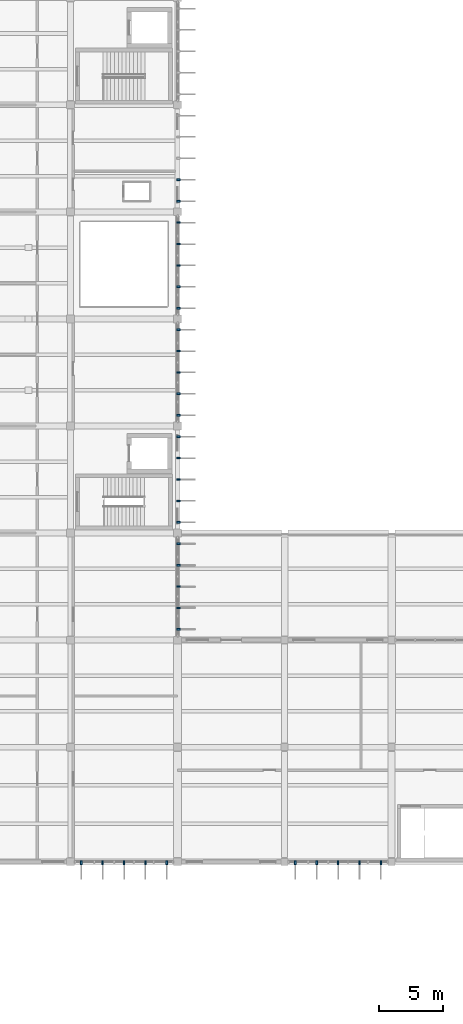
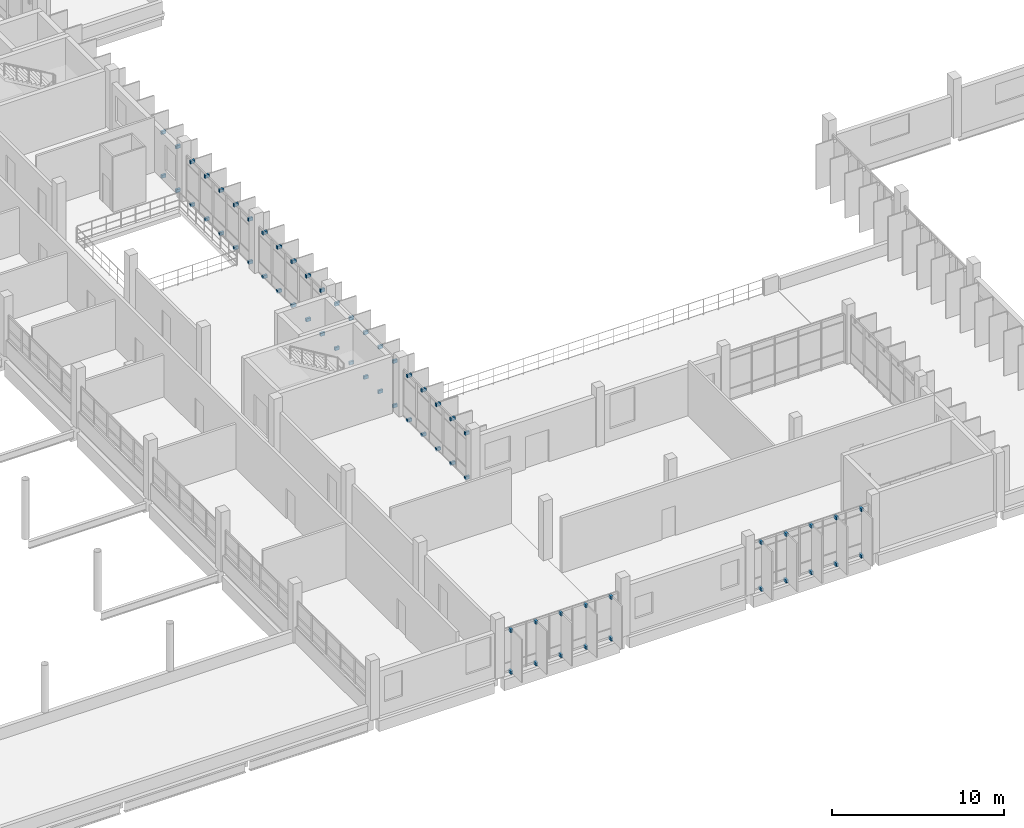
# One storey, part 121 of 130: 64 discrete accessories.
"""IFC4 building model written with IfcOpenShell, lengths in metres."""

import ifcopenshell
import ifcopenshell.guid

model = None  # the IFC model being written
_history = None  # IfcOwnerHistory: only IFC2X3 demands one
_inside = {}  # id of a spatial element -> (the spatial element, [elements in it])
_under = {}  # id of a project, library or spatial element -> (it, [spatial elements below it])
_declared = {}  # id of a project -> (the project, [libraries it declares])
_typed = {}  # id of a type object -> (the type object, [elements of that type])
_made_of = {}  # id of a material, layer set ... -> (it, [elements and type objects made of it])


def new_model(schema):
    """Start an empty IFC model of exactly this schema.

    Asked for "IFC4X3", IfcOpenShell would pick the latest addendum, in which some entities
    have other attributes; the version numbers below select the first issue.
    IFC2X3 requires an IfcOwnerHistory on every rooted entity: one is made here for all.
    """
    global model, _history
    if schema == "IFC4X3":
        model = ifcopenshell.file(schema_version=(4, 3, 0, 0))
    else:
        model = ifcopenshell.file(schema=schema)
    _inside.clear()
    _under.clear()
    _declared.clear()
    _typed.clear()
    _made_of.clear()
    _history = None
    if model.schema == "IFC2X3":
        org = make("IfcOrganization", Name="unknown")
        user = make(
            "IfcPersonAndOrganization",
            ThePerson=make("IfcPerson", FamilyName="unknown"),
            TheOrganization=org,
        )
        app = make(
            "IfcApplication",
            ApplicationDeveloper=org,
            Version="unknown",
            ApplicationFullName="unknown",
            ApplicationIdentifier="unknown",
        )
        _history = make(
            "IfcOwnerHistory",
            OwningUser=user,
            OwningApplication=app,
            ChangeAction="ADDED",
            CreationDate=0,
        )
    return model


def make(cls, **values):
    """One entity of the class cls with the attributes given. An attribute that is None is left unset."""
    return model.create_entity(
        cls, **{name: value for name, value in values.items() if value is not None}
    )


def rooted(cls, **values):
    """An entity with a GlobalId (a new one), such as an element, a storey or a relation."""
    return make(cls, GlobalId=ifcopenshell.guid.new(), OwnerHistory=_history, **values)


def si_unit(unit_type, name, prefix=None):
    """IfcSIUnit, for example si_unit("LENGTHUNIT", "METRE", prefix="MILLI")."""
    return make("IfcSIUnit", UnitType=unit_type, Prefix=prefix, Name=name)


def assignment(units):
    """IfcUnitAssignment: the units of a project."""
    return None if units is None else make("IfcUnitAssignment", Units=units)


def point(xyz):
    """IfcCartesianPoint."""
    return None if xyz is None else make("IfcCartesianPoint", Coordinates=xyz)


def direction(xyz):
    """IfcDirection."""
    return None if xyz is None else make("IfcDirection", DirectionRatios=xyz)


def frame(location, z_axis=None, x_axis=None):
    """IfcAxis2Placement3D, a coordinate frame: its origin and axes. An axis left out is left unset."""
    return make(
        "IfcAxis2Placement3D",
        Location=point(location),
        Axis=direction(z_axis),
        RefDirection=direction(x_axis),
    )


def frame_2d(location, x_axis=None):
    """IfcAxis2Placement2D, a coordinate frame in the plane: its origin and x axis."""
    return make(
        "IfcAxis2Placement2D", Location=point(location), RefDirection=direction(x_axis)
    )


def origin():
    """The frame at (0, 0, 0) with its axes left unset."""
    return frame((0.0, 0.0, 0.0))


def origin_2d():
    """The frame at (0, 0) in the plane with its x axis left unset."""
    return frame_2d((0.0, 0.0))


def place(relative_to, where):
    """IfcLocalPlacement: puts the frame where relative to a parent placement (None: the world)."""
    return make(
        "IfcLocalPlacement", PlacementRelTo=relative_to, RelativePlacement=where
    )


def context(
    kind, dimensions, precision=None, world=None, true_north=None, identifier=None
):
    """IfcGeometricRepresentationContext, for example the 3D "Model" context."""
    return make(
        "IfcGeometricRepresentationContext",
        ContextIdentifier=identifier,
        ContextType=kind,
        CoordinateSpaceDimension=dimensions,
        Precision=precision,
        WorldCoordinateSystem=world,
        TrueNorth=true_north,
    )


def subcontext(parent, identifier, kind, view, scale=None):
    """IfcGeometricRepresentationSubContext, for example "Body" below "Model"."""
    return make(
        "IfcGeometricRepresentationSubContext",
        ContextIdentifier=identifier,
        ContextType=kind,
        ParentContext=parent,
        TargetScale=scale,
        TargetView=view,
    )


def project(units=None, contexts=None):
    """IfcProject with its units and contexts."""
    return rooted(
        "IfcProject",
        Name="project",
        RepresentationContexts=contexts,
        UnitsInContext=assignment(units),
    )


def spatial(cls, under=None, at=None, **own):
    """A site, building, storey or space (cls), placed at a placement, below another one or the project."""
    s = rooted(cls, ObjectPlacement=at, **own)
    if under is not None:
        _under.setdefault(under.id(), (under, []))[1].append(s)
    return s


def profile(cls, at=None, kind="AREA", **sizes):
    """A parametric profile (cls). Its sizes go by their IFC names, for example OverallWidth=200.0."""
    return make(cls, ProfileType=kind, Position=at, **sizes)


def rectangle(**sizes):
    """IfcRectangleProfileDef."""
    return profile("IfcRectangleProfileDef", **sizes)


def extrude(swept, where, along, depth):
    """IfcExtrudedAreaSolid: the profile swept, set in the frame where, extruded along a direction by depth."""
    return make(
        "IfcExtrudedAreaSolid",
        SweptArea=swept,
        Position=where,
        ExtrudedDirection=direction(along),
        Depth=depth,
    )


def shape(context_of_items, identifier, shape_type, items):
    """IfcShapeRepresentation: the items that make up one representation, for example the "Body"."""
    return make(
        "IfcShapeRepresentation",
        ContextOfItems=context_of_items,
        RepresentationIdentifier=identifier,
        RepresentationType=shape_type,
        Items=items,
    )


def material(Name=None, Category=None):
    """IfcMaterial."""
    return make("IfcMaterial", Name=Name, Category=Category)


def made_of(thing, what):
    """Note that an element or type object is made of a material, layer set ...; save() writes the relation."""
    if what is not None:
        _made_of.setdefault(what.id(), (what, []))[1].append(thing)
    return thing


def type_object(cls, material=None, **own):
    """A type object (cls), such as IfcWallType, which elements share."""
    return made_of(rooted(cls, **own), material)


def element(
    cls,
    number,
    at=None,
    inside=None,
    cuts=None,
    type_object=None,
    material=None,
    context=None,
    identifier="Body",
    shape_type=None,
    held_by="IfcProductDefinitionShape",
    body=None,
    shapes=None,
    **own,
):
    """One element of the class cls, such as IfcWall. Its Tag is "e" and its number.

    at: its placement. inside: the storey or other place that contains it. cuts: it is an
    opening in that element (IfcRelVoidsElement). A single representation is given by context,
    identifier, shape_type and body (its items); several are given by shapes. held_by: the class
    of the entity that holds the representations. save() writes the other relations.
    """
    e = rooted(cls, Tag="e%d" % number, ObjectPlacement=at, **own)
    if body is not None:
        shapes = [shape(context, identifier, shape_type, body)]
    if shapes is not None:
        e.Representation = make(held_by, Representations=shapes)
    if inside is not None:
        _inside.setdefault(inside.id(), (inside, []))[1].append(e)
    if cuts is not None:
        rooted(
            "IfcRelVoidsElement", RelatingBuildingElement=cuts, RelatedOpeningElement=e
        )
    if type_object is not None:
        _typed.setdefault(type_object.id(), (type_object, []))[1].append(e)
    return made_of(e, material)


def aggregate(whole, parts):
    """IfcRelAggregates: a whole, such as a stair, and the parts it consists of."""
    return rooted("IfcRelAggregates", RelatingObject=whole, RelatedObjects=parts)


def save(model, path):
    """Write the relations noted so far, then the file.

    IfcRelAggregates (storeys below a building ...), IfcRelContainedInSpatialStructure (elements
    in a storey), IfcRelDefinesByType, IfcRelAssociatesMaterial and IfcRelDeclares: one each for
    every whole, place, type object, material and project.
    """
    for whole, parts in _under.values():
        aggregate(whole, parts)
    for where, things in _inside.values():
        rooted(
            "IfcRelContainedInSpatialStructure",
            RelatedElements=things,
            RelatingStructure=where,
        )
    for kind, things in _typed.values():
        rooted("IfcRelDefinesByType", RelatedObjects=things, RelatingType=kind)
    for what, things in _made_of.values():
        rooted("IfcRelAssociatesMaterial", RelatedObjects=things, RelatingMaterial=what)
    for by, libraries in _declared.values():
        rooted("IfcRelDeclares", RelatingContext=by, RelatedDefinitions=libraries)
    model.write(path)


model = new_model("IFC4")

# Units and contexts
model_context = context("Model", 3, precision=1e-05, world=origin(), true_north=direction((0.0, 1.0)))
body_context = subcontext(model_context, "Body", "Model", "MODEL_VIEW")
ifc_project = project(units=[si_unit("LENGTHUNIT", "METRE"), si_unit("AREAUNIT", "SQUARE_METRE"), si_unit("VOLUMEUNIT", "CUBIC_METRE"), si_unit("PLANEANGLEUNIT", "RADIAN"), si_unit("MASSUNIT", "GRAM", prefix="KILO")], contexts=[model_context])

# Site, building, storey
site_placement = place(None, origin())
site = spatial("IfcSite", under=ifc_project, at=site_placement, CompositionType="ELEMENT")
building_placement = place(site_placement, origin())
building = spatial("IfcBuilding", under=site, at=building_placement, Name="Vireocrest Preparatory School", CompositionType="ELEMENT")
storey_placement = place(building_placement, frame((0.0, 0.0, 9.0)))
storey = spatial("IfcBuildingStorey", under=building, at=storey_placement, Name="L02", CompositionType="ELEMENT", Elevation=9.0)

# Discrete accessories
ifc_material = material(Name="Structural steel ASTM A572 Grade 50", Category="steel")
discrete_accessory_type = type_object("IfcDiscreteAccessoryType", Name="Slab-Edge Steel Outrigger Fin Bracket", PredefinedType="BRACKET", material=ifc_material)
for number, where, z_axis, x_axis, name in (
    (1, (109.27001953125, 36.239990234375, -0.08984375), (0.0, 0.0, 1.0), (0.0, -1.0, 0.0), "Solar Fin Outrigger Bracket BK1 L02-14-1-BOT"),
    (2, (109.27001953125, 36.239990234375, 3.06982421875), (0.0, 0.0, 1.0), (0.0, -1.0, 0.0), "Solar Fin Outrigger Bracket BK1 L02-14-1-TOP"),
    (3, (109.27001953125, 37.919921875, -0.08984375), (0.0, 0.0, 1.0), (0.0, -1.0, 0.0), "Solar Fin Outrigger Bracket BK1 L02-14-2-BOT"),
    (4, (109.27001953125, 37.919921875, 3.06982421875), (0.0, 0.0, 1.0), (0.0, -1.0, 0.0), "Solar Fin Outrigger Bracket BK1 L02-14-2-TOP"),
    (5, (109.27001953125, 39.60009765625, -0.08984375), (0.0, 0.0, 1.0), (0.0, -1.0, 0.0), "Solar Fin Outrigger Bracket BK1 L02-14-3-BOT"),
    (6, (109.27001953125, 39.60009765625, 3.06982421875), (0.0, 0.0, 1.0), (0.0, -1.0, 0.0), "Solar Fin Outrigger Bracket BK1 L02-14-3-TOP"),
    (7, (109.27001953125, 41.280029296875, -0.08984375), (0.0, 0.0, 1.0), (0.0, -1.0, 0.0), "Solar Fin Outrigger Bracket BK1 L02-14-4-BOT"),
    (8, (109.27001953125, 41.280029296875, 3.06982421875), (0.0, 0.0, 1.0), (0.0, -1.0, 0.0), "Solar Fin Outrigger Bracket BK1 L02-14-4-TOP"),
    (9, (109.27001953125, 42.9599609375, -0.08984375), (0.0, 0.0, 1.0), (0.0, -1.0, 0.0), "Solar Fin Outrigger Bracket BK1 L02-14-5-BOT"),
    (10, (109.27001953125, 42.9599609375, 3.06982421875), (0.0, 0.0, 1.0), (0.0, -1.0, 0.0), "Solar Fin Outrigger Bracket BK1 L02-14-5-TOP"),
    (11, (109.27001953125, 44.639892578125, -0.08984375), (0.0, 0.0, 1.0), (0.0, -1.0, 0.0), "Solar Fin Outrigger Bracket BK1 L02-15-1-BOT"),
    (12, (109.27001953125, 44.639892578125, 3.06982421875), (0.0, 0.0, 1.0), (0.0, -1.0, 0.0), "Solar Fin Outrigger Bracket BK1 L02-15-1-TOP"),
    (13, (109.27001953125, 46.320068359375, -0.08984375), (0.0, 0.0, 1.0), (0.0, -1.0, 0.0), "Solar Fin Outrigger Bracket BK1 L02-15-2-BOT"),
    (14, (109.27001953125, 46.320068359375, 3.06982421875), (0.0, 0.0, 1.0), (0.0, -1.0, 0.0), "Solar Fin Outrigger Bracket BK1 L02-15-2-TOP"),
    (15, (109.27001953125, 48.0, -0.08984375), (0.0, 0.0, 1.0), (0.0, -1.0, 0.0), "Solar Fin Outrigger Bracket BK1 L02-15-3-BOT"),
    (16, (109.27001953125, 48.0, 3.06982421875), (0.0, 0.0, 1.0), (0.0, -1.0, 0.0), "Solar Fin Outrigger Bracket BK1 L02-15-3-TOP"),
    (17, (109.27001953125, 49.679931640625, -0.08984375), (0.0, 0.0, 1.0), (0.0, -1.0, 0.0), "Solar Fin Outrigger Bracket BK1 L02-15-4-BOT"),
    (18, (109.27001953125, 49.679931640625, 3.06982421875), (0.0, 0.0, 1.0), (0.0, -1.0, 0.0), "Solar Fin Outrigger Bracket BK1 L02-15-4-TOP"),
    (19, (109.27001953125, 51.360107421875, -0.08984375), (0.0, 0.0, 1.0), (0.0, -1.0, 0.0), "Solar Fin Outrigger Bracket BK1 L02-15-5-BOT"),
    (20, (109.27001953125, 51.360107421875, 3.06982421875), (0.0, 0.0, 1.0), (0.0, -1.0, 0.0), "Solar Fin Outrigger Bracket BK1 L02-15-5-TOP"),
    (21, (109.27001953125, 53.0400390625, -0.08984375), (0.0, 0.0, 1.0), (0.0, -1.0, 0.0), "Solar Fin Outrigger Bracket BK1 L02-16-1-BOT"),
    (22, (109.27001953125, 53.0400390625, 3.02001953125), (0.0, 0.0, 1.0), (0.0, -1.0, 0.0), "Solar Fin Outrigger Bracket BK1 L02-16-1-TOP"),
    (23, (109.27001953125, 54.719970703125, -0.08984375), (0.0, 0.0, 1.0), (0.0, -1.0, 0.0), "Solar Fin Outrigger Bracket BK1 L02-16-2-BOT"),
    (24, (109.27001953125, 54.719970703125, 3.02001953125), (0.0, 0.0, 1.0), (0.0, -1.0, 0.0), "Solar Fin Outrigger Bracket BK1 L02-16-2-TOP"),
    (25, (109.27001953125, 56.39990234375, -0.08984375), (0.0, 0.0, 1.0), (0.0, -1.0, 0.0), "Solar Fin Outrigger Bracket BK1 L02-16-3-BOT"),
    (26, (109.27001953125, 56.39990234375, 3.02001953125), (0.0, 0.0, 1.0), (0.0, -1.0, 0.0), "Solar Fin Outrigger Bracket BK1 L02-16-3-TOP"),
    (27, (109.27001953125, 58.080078125, -0.08984375), (0.0, 0.0, 1.0), (0.0, -1.0, 0.0), "Solar Fin Outrigger Bracket BK1 L02-16-4-BOT"),
    (28, (109.27001953125, 58.080078125, 3.02001953125), (0.0, 0.0, 1.0), (0.0, -1.0, 0.0), "Solar Fin Outrigger Bracket BK1 L02-16-4-TOP"),
    (29, (109.27001953125, 59.760009765625, -0.08984375), (0.0, 0.0, 1.0), (0.0, -1.0, 0.0), "Solar Fin Outrigger Bracket BK1 L02-16-5-BOT"),
    (30, (109.27001953125, 59.760009765625, 3.02001953125), (0.0, 0.0, 1.0), (0.0, -1.0, 0.0), "Solar Fin Outrigger Bracket BK1 L02-16-5-TOP"),
    (31, (109.27001953125, 61.43994140625, -0.08984375), (0.0, 0.0, 1.0), (0.0, -1.0, 0.0), "Solar Fin Outrigger Bracket BK1 L02-17-1-BOT"),
    (32, (109.27001953125, 61.43994140625, 2.97021484375), (0.0, 0.0, 1.0), (0.0, -1.0, 0.0), "Solar Fin Outrigger Bracket BK1 L02-17-1-TOP"),
    (33, (109.27001953125, 63.1201171875, -0.08984375), (0.0, 0.0, 1.0), (0.0, -1.0, 0.0), "Solar Fin Outrigger Bracket BK1 L02-17-2-BOT"),
    (34, (109.27001953125, 63.1201171875, 2.97021484375), (0.0, 0.0, 1.0), (0.0, -1.0, 0.0), "Solar Fin Outrigger Bracket BK1 L02-17-2-TOP"),
    (35, (109.27001953125, 64.800048828125, -0.08984375), (0.0, 0.0, 1.0), (0.0, -1.0, 0.0), "Solar Fin Outrigger Bracket BK1 L02-17-3-BOT"),
    (36, (109.27001953125, 64.800048828125, 2.97021484375), (0.0, 0.0, 1.0), (0.0, -1.0, 0.0), "Solar Fin Outrigger Bracket BK1 L02-17-3-TOP"),
    (37, (109.27001953125, 66.47998046875, -0.08984375), (0.0, 0.0, 1.0), (0.0, -1.0, 0.0), "Solar Fin Outrigger Bracket BK1 L02-17-4-BOT"),
    (38, (109.27001953125, 66.47998046875, 2.97021484375), (0.0, 0.0, 1.0), (0.0, -1.0, 0.0), "Solar Fin Outrigger Bracket BK1 L02-17-4-TOP"),
    (39, (109.27001953125, 68.159912109375, -0.08984375), (0.0, 0.0, 1.0), (0.0, -1.0, 0.0), "Solar Fin Outrigger Bracket BK1 L02-17-5-BOT"),
    (40, (109.27001953125, 68.159912109375, 2.97021484375), (0.0, 0.0, 1.0), (0.0, -1.0, 0.0), "Solar Fin Outrigger Bracket BK1 L02-17-5-TOP"),
    (41, (109.27001953125, 69.840087890625, -0.08984375), (0.0, 0.0, 1.0), (0.0, -1.0, 0.0), "Solar Fin Outrigger Bracket BK1 L02-18-1-BOT"),
    (42, (109.27001953125, 69.840087890625, 3.02001953125), (0.0, 0.0, 1.0), (0.0, -1.0, 0.0), "Solar Fin Outrigger Bracket BK1 L02-18-1-TOP"),
    (43, (109.27001953125, 71.52001953125, -0.08984375), (0.0, 0.0, 1.0), (0.0, -1.0, 0.0), "Solar Fin Outrigger Bracket BK1 L02-18-2-BOT"),
    (44, (109.27001953125, 71.52001953125, 3.02001953125), (0.0, 0.0, 1.0), (0.0, -1.0, 0.0), "Solar Fin Outrigger Bracket BK1 L02-18-2-TOP"),
    (45, (101.639892578125, 17.929931640625, -0.08984375), (0.0, 0.0, 1.0), (-1.0, 0.0, 0.0), "Solar Fin Outrigger Bracket BK1 L02-25-1-BOT"),
    (46, (101.639892578125, 17.929931640625, 2.85986328125), (0.0, 0.0, 1.0), (-1.0, 0.0, 0.0), "Solar Fin Outrigger Bracket BK1 L02-25-1-TOP"),
    (47, (103.320068359375, 17.929931640625, -0.08984375), (0.0, 0.0, 1.0), (-1.0, 0.0, 0.0), "Solar Fin Outrigger Bracket BK1 L02-25-2-BOT"),
    (48, (103.320068359375, 17.929931640625, 2.85986328125), (0.0, 0.0, 1.0), (-1.0, 0.0, 0.0), "Solar Fin Outrigger Bracket BK1 L02-25-2-TOP"),
    (49, (105.0, 17.929931640625, -0.08984375), (0.0, 0.0, 1.0), (-1.0, 0.0, 0.0), "Solar Fin Outrigger Bracket BK1 L02-25-3-BOT"),
    (50, (105.0, 17.929931640625, 2.85986328125), (0.0, 0.0, 1.0), (-1.0, 0.0, 0.0), "Solar Fin Outrigger Bracket BK1 L02-25-3-TOP"),
    (51, (106.679931640625, 17.929931640625, -0.08984375), (0.0, 0.0, 1.0), (-1.0, 0.0, 0.0), "Solar Fin Outrigger Bracket BK1 L02-25-4-BOT"),
    (52, (106.679931640625, 17.929931640625, 2.85986328125), (0.0, 0.0, 1.0), (-1.0, 0.0, 0.0), "Solar Fin Outrigger Bracket BK1 L02-25-4-TOP"),
    (53, (108.360107421875, 17.929931640625, -0.08984375), (0.0, 0.0, 1.0), (-1.0, 0.0, 0.0), "Solar Fin Outrigger Bracket BK1 L02-25-5-BOT"),
    (54, (108.360107421875, 17.929931640625, 2.85986328125), (0.0, 0.0, 1.0), (-1.0, 0.0, 0.0), "Solar Fin Outrigger Bracket BK1 L02-25-5-TOP"),
    (55, (118.43994140625, 17.929931640625, -0.08984375), (0.0, 0.0, 1.0), (-1.0, 0.0, 0.0), "Solar Fin Outrigger Bracket BK1 L02-26-1-BOT"),
    (56, (118.43994140625, 17.929931640625, 3.2099609375), (0.0, 0.0, 1.0), (-1.0, 0.0, 0.0), "Solar Fin Outrigger Bracket BK1 L02-26-1-TOP"),
    (57, (120.1201171875, 17.929931640625, -0.08984375), (0.0, 0.0, 1.0), (-1.0, 0.0, 0.0), "Solar Fin Outrigger Bracket BK1 L02-26-2-BOT"),
    (58, (120.1201171875, 17.929931640625, 3.2099609375), (0.0, 0.0, 1.0), (-1.0, 0.0, 0.0), "Solar Fin Outrigger Bracket BK1 L02-26-2-TOP"),
    (59, (121.800048828125, 17.929931640625, -0.08984375), (0.0, 0.0, 1.0), (-1.0, 0.0, 0.0), "Solar Fin Outrigger Bracket BK1 L02-26-3-BOT"),
    (60, (121.800048828125, 17.929931640625, 3.2099609375), (0.0, 0.0, 1.0), (-1.0, 0.0, 0.0), "Solar Fin Outrigger Bracket BK1 L02-26-3-TOP"),
    (61, (123.47998046875, 17.929931640625, -0.08984375), (0.0, 0.0, 1.0), (-1.0, 0.0, 0.0), "Solar Fin Outrigger Bracket BK1 L02-26-4-BOT"),
    (62, (123.47998046875, 17.929931640625, 3.2099609375), (0.0, 0.0, 1.0), (-1.0, 0.0, 0.0), "Solar Fin Outrigger Bracket BK1 L02-26-4-TOP"),
    (63, (125.159912109375, 17.929931640625, -0.08984375), (0.0, 0.0, 1.0), (-1.0, 0.0, 0.0), "Solar Fin Outrigger Bracket BK1 L02-26-5-BOT"),
    (64, (125.159912109375, 17.929931640625, 3.2099609375), (0.0, 0.0, 1.0), (-1.0, 0.0, 0.0), "Solar Fin Outrigger Bracket BK1 L02-26-5-TOP"),
):
    element("IfcDiscreteAccessory", number, at=place(storey_placement, frame(where, z_axis=z_axis, x_axis=x_axis)), inside=storey, type_object=discrete_accessory_type, Name=name, PredefinedType="BRACKET", context=body_context, shape_type="SweptSolid", body=[
        extrude(rectangle(XDim=0.139892578125, YDim=0.300048828125, at=origin_2d()), origin(), (0.0, 0.0, 1.0), 0.219970703125),
    ])

save(model, "model.ifc")
